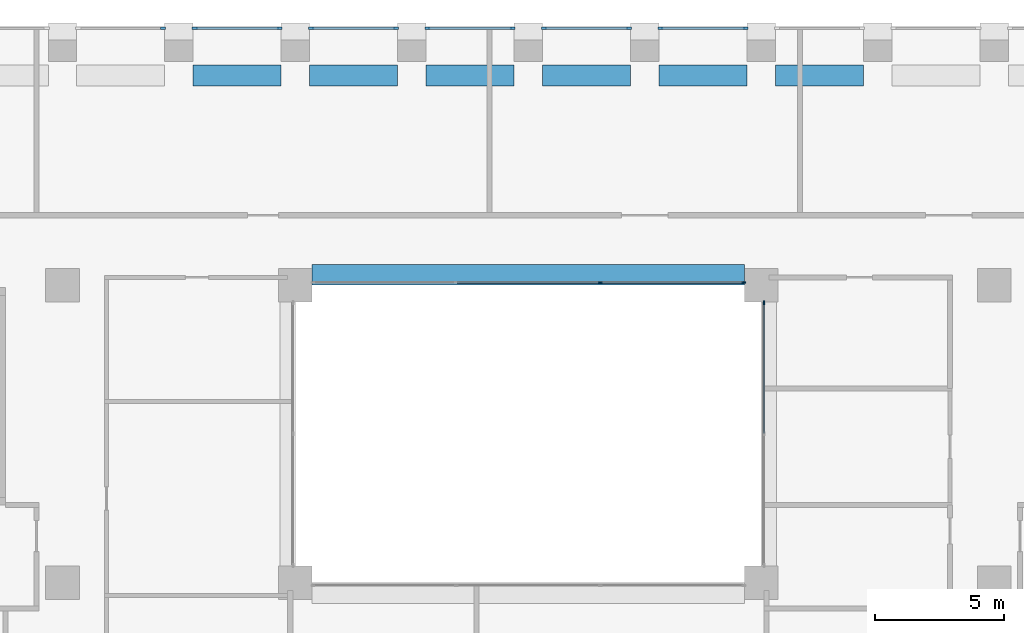
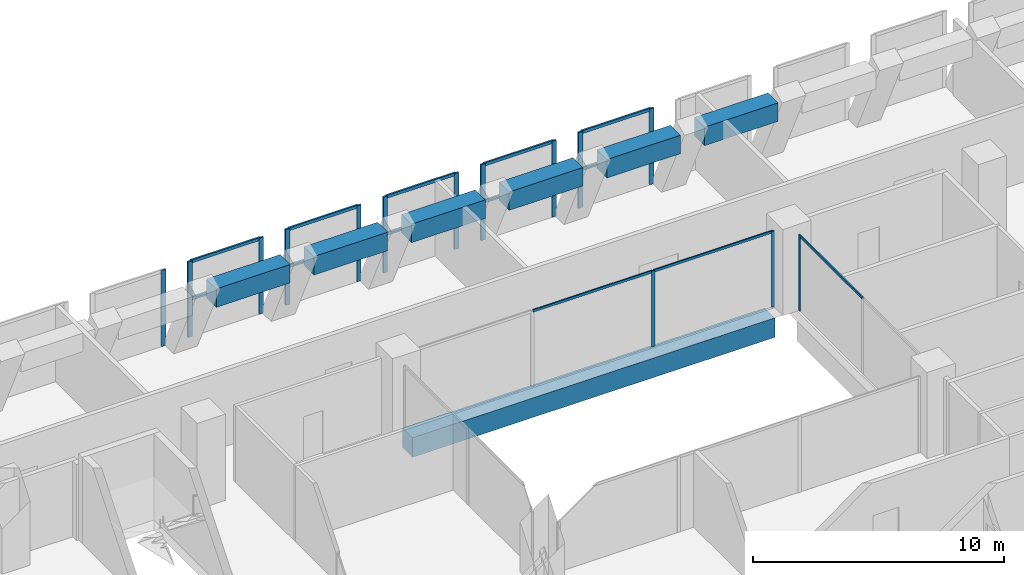
# One storey, part 8 of 20: 27 members, 7 beams, 8 elements without a shape of their own.
"""IFC4 building model written with IfcOpenShell, lengths in metres."""

from ifc_helpers import new_model, si_unit, direction, frame, origin, origin_2d, place, context, subcontext, project, spatial, rectangle, extrude, material, layer, layer_set, material_profile, profile_set, type_object, element, aggregate, save


model = new_model("IFC4")

# Units and contexts
model_context = context("Model", 3, precision=1e-05, world=origin(), true_north=direction((0.0, 1.0)))
body_context = subcontext(model_context, "Body", "Model", "MODEL_VIEW")
ifc_project = project(units=[si_unit("LENGTHUNIT", "METRE"), si_unit("AREAUNIT", "SQUARE_METRE"), si_unit("VOLUMEUNIT", "CUBIC_METRE"), si_unit("PLANEANGLEUNIT", "RADIAN"), si_unit("MASSUNIT", "GRAM", prefix="KILO")], contexts=[model_context])

# Site, building, storey
site_placement = place(None, origin())
site = spatial("IfcSite", under=ifc_project, at=site_placement, CompositionType="ELEMENT")
building_placement = place(site_placement, origin())
building = spatial("IfcBuilding", under=site, at=building_placement, Name="Brigalow Station Residences", CompositionType="ELEMENT")
storey_placement = place(building_placement, frame((0.0, 0.0, 137.10009765625)))
storey = spatial("IfcBuildingStorey", under=building, at=storey_placement, Name="L39", CompositionType="ELEMENT", Elevation=137.10009765625)

# Beam
ifc_material_1 = material(Name="Concrete C65", Category="concrete")
ifc_material_profile_1 = material_profile(ifc_material_1, rectangle(XDim=0.800048828125, YDim=0.949951171875, at=origin_2d()), Name="RC800x950")
ifc_profile_set_1 = profile_set([ifc_material_profile_1], Name="Concrete C65")
beam_type_1 = type_object("IfcBeamType", Name="ATRIUM EDGE GIRDER OVER 13.5 M SPAN 800x950 C65", PredefinedType="BEAM", material=ifc_profile_set_1)
beam_placement = place(storey_placement, frame((27.64990234375, 35.89990234375, -0.97509765625), z_axis=(1.0, 0.0, 0.0), x_axis=(0.0, 1.0, 0.0)))
element("IfcBeam", 1, at=beam_placement, inside=storey, type_object=beam_type_1, Name="ATRIUM EDGE GIRDER D L39", PredefinedType="BEAM", context=body_context, shape_type="SweptSolid", body=[
    extrude(rectangle(XDim=0.800048828125, YDim=0.949951171875, at=origin_2d()), origin(), (0.0, 0.0, 1.0), 16.7001953125),
])

# Curtain wall, member
ifc_material_2 = material(Name="Aluminium", Category="aluminium")
ifc_layer_1 = layer(ifc_material_2, 0.14990234375)
ifc_layer_set_1 = layer_set([ifc_layer_1], Name="ATRIUM FIRE-RATED GLAZING CURTAIN WALL")
curtain_wall_type_1 = type_object("IfcCurtainWallType", Name="ATRIUM FIRE-RATED GLAZING CURTAIN WALL", PredefinedType="NOTDEFINED", material=ifc_layer_set_1)
curtain_wall_1_placement = place(storey_placement, origin())
curtain_wall_1 = element("IfcCurtainWall", 2, at=curtain_wall_1_placement, inside=storey, type_object=curtain_wall_type_1, Name="L39/cw/atrium-E", PredefinedType="NOTDEFINED")
ifc_material_3 = material(Name="Aluminium", Category="aluminium")
ifc_material_profile_2 = material_profile(ifc_material_3, rectangle(XDim=0.06005859375, YDim=0.14990234375, at=origin_2d()), Name="ATRIUM FIRE-RATED GLAZING MULLION 60x150")
ifc_profile_set_2 = profile_set([ifc_material_profile_2], Name="Aluminium")
member_type_1 = type_object("IfcMemberType", Name="ATRIUM FIRE-RATED GLAZING MULLION 60x150", PredefinedType="MULLION", material=ifc_profile_set_2)
member_1_placement = place(storey_placement, frame((45.10009765625, 34.820068359375, 0.0), z_axis=(0.0, 0.0, 1.0), x_axis=(-1.0, 0.0, 0.0)))
member_1 = element("IfcMember", 3, at=member_1_placement, type_object=member_type_1, Name="L39/cw/atrium-E/M02", PredefinedType="MULLION", context=body_context, shape_type="SweptSolid", body=[
    extrude(rectangle(XDim=0.06005859375, YDim=0.14990234375, at=origin_2d()), origin(), (0.0, 0.0, 1.0), 3.699951171875),
])

# Curtain wall, members
curtain_wall_2_placement = place(storey_placement, origin())
curtain_wall_2 = element("IfcCurtainWall", 4, at=curtain_wall_2_placement, inside=storey, type_object=curtain_wall_type_1, Name="L39/cw/atrium-N", PredefinedType="NOTDEFINED")
member_2_placement = place(storey_placement, frame((44.320068359375, 35.60009765625, 0.0), z_axis=(0.0, 0.0, 1.0), x_axis=(0.0, -1.0, 0.0)))
member_2 = element("IfcMember", 5, at=member_2_placement, type_object=member_type_1, Name="L39/cw/atrium-N/M00", PredefinedType="MULLION", context=body_context, shape_type="SweptSolid", body=[
    extrude(rectangle(XDim=0.06005859375, YDim=0.14990234375, at=origin_2d()), origin(), (0.0, 0.0, 1.0), 3.699951171875),
])
member_3_placement = place(storey_placement, frame((38.783203125, 35.60009765625, 0.0), z_axis=(0.0, 0.0, 1.0), x_axis=(0.0, -1.0, 0.0)))
member_3 = element("IfcMember", 6, at=member_3_placement, type_object=member_type_1, Name="L39/cw/atrium-N/M01", PredefinedType="MULLION", context=body_context, shape_type="SweptSolid", body=[
    extrude(rectangle(XDim=0.06005859375, YDim=0.14990234375, at=origin_2d()), origin(), (0.0, 0.0, 1.0), 3.699951171875),
])

# Member
ifc_material_4 = material(Name="Aluminium", Category="aluminium")
ifc_material_profile_3 = material_profile(ifc_material_4, rectangle(XDim=0.06005859375, YDim=0.1201171875, at=origin_2d()), Name="ATRIUM FIRE-RATED GLAZING TRANSOM 60x120")
ifc_profile_set_3 = profile_set([ifc_material_profile_3], Name="Aluminium")
member_type_2 = type_object("IfcMemberType", Name="ATRIUM FIRE-RATED GLAZING TRANSOM 60x120", PredefinedType="USERDEFINED", material=ifc_profile_set_3)
member_4_placement = place(storey_placement, frame((45.10009765625, 29.780029296875, 3.669921875), z_axis=(0.0, 1.0, 0.0), x_axis=(-1.0, 0.0, 0.0)))
member_4 = element("IfcMember", 7, at=member_4_placement, type_object=member_type_2, Name="L39/cw/atrium-E/T01-00", ObjectType="TRANSOM", PredefinedType="USERDEFINED", context=body_context, shape_type="SweptSolid", body=[
    extrude(rectangle(XDim=0.06005859375, YDim=0.1201171875, at=origin_2d()), origin(), (0.0, 0.0, 1.0), 5.010009765625),
])

aggregate(curtain_wall_1, [member_1, member_4])

member_5_placement = place(storey_placement, frame((44.2900390625, 35.60009765625, 3.669921875), z_axis=(-1.0, 0.0, 0.0), x_axis=(0.0, -1.0, 0.0)))
member_5 = element("IfcMember", 8, at=member_5_placement, type_object=member_type_2, Name="L39/cw/atrium-N/T00-00", ObjectType="TRANSOM", PredefinedType="USERDEFINED", context=body_context, shape_type="SweptSolid", body=[
    extrude(rectangle(XDim=0.06005859375, YDim=0.1201171875, at=origin_2d()), origin(), (0.0, 0.0, 1.0), 5.476806640625),
])

member_6_placement = place(storey_placement, frame((38.75341796875, 35.60009765625, 3.669921875), z_axis=(-1.0, 0.0, 0.0), x_axis=(0.0, -1.0, 0.0)))
member_6 = element("IfcMember", 9, at=member_6_placement, type_object=member_type_2, Name="L39/cw/atrium-N/T01-00", ObjectType="TRANSOM", PredefinedType="USERDEFINED", context=body_context, shape_type="SweptSolid", body=[
    extrude(rectangle(XDim=0.06005859375, YDim=0.1201171875, at=origin_2d()), origin(), (0.0, 0.0, 1.0), 5.5068359375),
])

aggregate(curtain_wall_2, [member_2, member_3, member_5, member_6])

# Beams
ifc_material_5 = material(Name="Concrete C65", Category="concrete")
ifc_material_profile_4 = material_profile(ifc_material_5, rectangle(XDim=0.800048828125, YDim=0.89990234375, at=origin_2d()), Name="RC800x900")
ifc_profile_set_4 = profile_set([ifc_material_profile_4], Name="Concrete C65")
beam_type_2 = type_object("IfcBeamType", Name="KINK TIE BEAM 800x900 C65", PredefinedType="BEAM", material=ifc_profile_set_4)
for number, where, z_axis, x_axis, name in (
    (10, (48.949951171875, 43.5966796875, 3.25), (-1.0, 0.0, 0.0), (0.0, -1.0, 0.0), "KINK TIE BEAM 23 L39"),
    (11, (44.449951171875, 43.5966796875, 3.25), (-1.0, 0.0, 0.0), (0.0, -1.0, 0.0), "KINK TIE BEAM 24 L39"),
    (12, (39.949951171875, 43.5966796875, 3.25), (-1.0, 0.0, 0.0), (0.0, -1.0, 0.0), "KINK TIE BEAM 25 L39"),
    (13, (35.449951171875, 43.5966796875, 3.25), (-1.0, 0.0, 0.0), (0.0, -1.0, 0.0), "KINK TIE BEAM 26 L39"),
    (14, (30.949951171875, 43.5966796875, 3.25), (-1.0, 0.0, 0.0), (0.0, -1.0, 0.0), "KINK TIE BEAM 27 L39"),
    (15, (26.449951171875, 43.5966796875, 3.25), (-1.0, 0.0, 0.0), (0.0, -1.0, 0.0), "KINK TIE BEAM 28 L39"),
):
    element("IfcBeam", number, at=place(storey_placement, frame(where, z_axis=z_axis, x_axis=x_axis)), inside=storey, type_object=beam_type_2, Name=name, PredefinedType="BEAM", context=body_context, shape_type="SweptSolid", body=[
        extrude(rectangle(XDim=0.800048828125, YDim=0.89990234375, at=origin_2d()), origin(), (0.0, 0.0, 1.0), 3.39990234375),
    ])

# Curtain wall, members
ifc_material_6 = material(Name="Aluminium", Category="aluminium")
ifc_layer_2 = layer(ifc_material_6, 0.199951171875)
ifc_layer_set_2 = layer_set([ifc_layer_2], Name="REFUGE FLOOR LOUVRE CURTAIN WALL")
curtain_wall_type_2 = type_object("IfcCurtainWallType", Name="REFUGE FLOOR LOUVRE CURTAIN WALL", PredefinedType="NOTDEFINED", material=ifc_layer_set_2)
curtain_wall_3_placement = place(storey_placement, origin())
curtain_wall_3 = element("IfcCurtainWall", 16, at=curtain_wall_3_placement, inside=storey, type_object=curtain_wall_type_2, Name="L39/cw/louvre-W-L39-23-26", PredefinedType="NOTDEFINED")
ifc_material_7 = material(Name="Aluminium", Category="aluminium")
ifc_material_profile_5 = material_profile(ifc_material_7, rectangle(XDim=0.080078125, YDim=0.199951171875, at=origin_2d()), Name="REFUGE FLOOR LOUVRE MULLION 80x200")
ifc_profile_set_5 = profile_set([ifc_material_profile_5], Name="Aluminium")
member_type_3 = type_object("IfcMemberType", Name="REFUGE FLOOR LOUVRE MULLION 80x200", PredefinedType="MULLION", material=ifc_profile_set_5)
member_7_placement = place(storey_placement, frame((44.389892578125, 45.425048828125, 0.0), z_axis=(0.0, 0.0, 1.0), x_axis=(0.0, -1.0, 0.0)))
member_7 = element("IfcMember", 17, at=member_7_placement, type_object=member_type_3, Name="L39/cw/louvre-W-L39-23-26/M00", PredefinedType="MULLION", context=body_context, shape_type="SweptSolid", body=[
    extrude(rectangle(XDim=0.080078125, YDim=0.199951171875, at=origin_2d()), origin(), (0.0, 0.0, 1.0), 3.699951171875),
])
member_8_placement = place(storey_placement, frame((41.110107421875, 45.425048828125, 0.0), z_axis=(0.0, 0.0, 1.0), x_axis=(0.0, -1.0, 0.0)))
member_8 = element("IfcMember", 18, at=member_8_placement, type_object=member_type_3, Name="L39/cw/louvre-W-L39-23-26/M01", PredefinedType="MULLION", context=body_context, shape_type="SweptSolid", body=[
    extrude(rectangle(XDim=0.080078125, YDim=0.199951171875, at=origin_2d()), origin(), (0.0, 0.0, 1.0), 3.699951171875),
])

curtain_wall_4_placement = place(storey_placement, origin())
curtain_wall_4 = element("IfcCurtainWall", 19, at=curtain_wall_4_placement, inside=storey, type_object=curtain_wall_type_2, Name="L39/cw/louvre-W-L39-23-27", PredefinedType="NOTDEFINED")
member_9_placement = place(storey_placement, frame((39.889892578125, 45.425048828125, 0.0), z_axis=(0.0, 0.0, 1.0), x_axis=(0.0, -1.0, 0.0)))
member_9 = element("IfcMember", 20, at=member_9_placement, type_object=member_type_3, Name="L39/cw/louvre-W-L39-23-27/M00", PredefinedType="MULLION", context=body_context, shape_type="SweptSolid", body=[
    extrude(rectangle(XDim=0.080078125, YDim=0.199951171875, at=origin_2d()), origin(), (0.0, 0.0, 1.0), 3.699951171875),
])
member_10_placement = place(storey_placement, frame((36.610107421875, 45.425048828125, 0.0), z_axis=(0.0, 0.0, 1.0), x_axis=(0.0, -1.0, 0.0)))
member_10 = element("IfcMember", 21, at=member_10_placement, type_object=member_type_3, Name="L39/cw/louvre-W-L39-23-27/M01", PredefinedType="MULLION", context=body_context, shape_type="SweptSolid", body=[
    extrude(rectangle(XDim=0.080078125, YDim=0.199951171875, at=origin_2d()), origin(), (0.0, 0.0, 1.0), 3.699951171875),
])

curtain_wall_5_placement = place(storey_placement, origin())
curtain_wall_5 = element("IfcCurtainWall", 22, at=curtain_wall_5_placement, inside=storey, type_object=curtain_wall_type_2, Name="L39/cw/louvre-W-L39-23-28", PredefinedType="NOTDEFINED")
member_11_placement = place(storey_placement, frame((35.389892578125, 45.425048828125, 0.0), z_axis=(0.0, 0.0, 1.0), x_axis=(0.0, -1.0, 0.0)))
member_11 = element("IfcMember", 23, at=member_11_placement, type_object=member_type_3, Name="L39/cw/louvre-W-L39-23-28/M00", PredefinedType="MULLION", context=body_context, shape_type="SweptSolid", body=[
    extrude(rectangle(XDim=0.080078125, YDim=0.199951171875, at=origin_2d()), origin(), (0.0, 0.0, 1.0), 3.699951171875),
])
member_12_placement = place(storey_placement, frame((32.110107421875, 45.425048828125, 0.0), z_axis=(0.0, 0.0, 1.0), x_axis=(0.0, -1.0, 0.0)))
member_12 = element("IfcMember", 24, at=member_12_placement, type_object=member_type_3, Name="L39/cw/louvre-W-L39-23-28/M01", PredefinedType="MULLION", context=body_context, shape_type="SweptSolid", body=[
    extrude(rectangle(XDim=0.080078125, YDim=0.199951171875, at=origin_2d()), origin(), (0.0, 0.0, 1.0), 3.699951171875),
])

curtain_wall_6_placement = place(storey_placement, origin())
curtain_wall_6 = element("IfcCurtainWall", 25, at=curtain_wall_6_placement, inside=storey, type_object=curtain_wall_type_2, Name="L39/cw/louvre-W-L39-23-29", PredefinedType="NOTDEFINED")
member_13_placement = place(storey_placement, frame((30.889892578125, 45.425048828125, 0.0), z_axis=(0.0, 0.0, 1.0), x_axis=(0.0, -1.0, 0.0)))
member_13 = element("IfcMember", 26, at=member_13_placement, type_object=member_type_3, Name="L39/cw/louvre-W-L39-23-29/M00", PredefinedType="MULLION", context=body_context, shape_type="SweptSolid", body=[
    extrude(rectangle(XDim=0.080078125, YDim=0.199951171875, at=origin_2d()), origin(), (0.0, 0.0, 1.0), 3.699951171875),
])
member_14_placement = place(storey_placement, frame((27.610107421875, 45.425048828125, 0.0), z_axis=(0.0, 0.0, 1.0), x_axis=(0.0, -1.0, 0.0)))
member_14 = element("IfcMember", 27, at=member_14_placement, type_object=member_type_3, Name="L39/cw/louvre-W-L39-23-29/M01", PredefinedType="MULLION", context=body_context, shape_type="SweptSolid", body=[
    extrude(rectangle(XDim=0.080078125, YDim=0.199951171875, at=origin_2d()), origin(), (0.0, 0.0, 1.0), 3.699951171875),
])

curtain_wall_7_placement = place(storey_placement, origin())
curtain_wall_7 = element("IfcCurtainWall", 28, at=curtain_wall_7_placement, inside=storey, type_object=curtain_wall_type_2, Name="L39/cw/louvre-W-L39-23-30", PredefinedType="NOTDEFINED")
member_15_placement = place(storey_placement, frame((26.389892578125, 45.425048828125, 0.0), z_axis=(0.0, 0.0, 1.0), x_axis=(0.0, -1.0, 0.0)))
member_15 = element("IfcMember", 29, at=member_15_placement, type_object=member_type_3, Name="L39/cw/louvre-W-L39-23-30/M00", PredefinedType="MULLION", context=body_context, shape_type="SweptSolid", body=[
    extrude(rectangle(XDim=0.080078125, YDim=0.199951171875, at=origin_2d()), origin(), (0.0, 0.0, 1.0), 3.699951171875),
])
member_16_placement = place(storey_placement, frame((23.110107421875, 45.425048828125, 0.0), z_axis=(0.0, 0.0, 1.0), x_axis=(0.0, -1.0, 0.0)))
member_16 = element("IfcMember", 30, at=member_16_placement, type_object=member_type_3, Name="L39/cw/louvre-W-L39-23-30/M01", PredefinedType="MULLION", context=body_context, shape_type="SweptSolid", body=[
    extrude(rectangle(XDim=0.080078125, YDim=0.199951171875, at=origin_2d()), origin(), (0.0, 0.0, 1.0), 3.699951171875),
])

# Curtain wall, member
curtain_wall_8_placement = place(storey_placement, origin())
curtain_wall_8 = element("IfcCurtainWall", 31, at=curtain_wall_8_placement, inside=storey, type_object=curtain_wall_type_2, Name="L39/cw/louvre-W-L39-23-31", PredefinedType="NOTDEFINED")
member_17_placement = place(storey_placement, frame((21.889892578125, 45.425048828125, 0.0), z_axis=(0.0, 0.0, 1.0), x_axis=(0.0, -1.0, 0.0)))
member_17 = element("IfcMember", 32, at=member_17_placement, type_object=member_type_3, Name="L39/cw/louvre-W-L39-23-31/M00", PredefinedType="MULLION", context=body_context, shape_type="SweptSolid", body=[
    extrude(rectangle(XDim=0.080078125, YDim=0.199951171875, at=origin_2d()), origin(), (0.0, 0.0, 1.0), 3.699951171875),
])
aggregate(curtain_wall_8, [member_17])

# Member
ifc_material_8 = material(Name="Aluminium", Category="aluminium")
ifc_material_profile_6 = material_profile(ifc_material_8, rectangle(XDim=0.080078125, YDim=0.14990234375, at=origin_2d()), Name="REFUGE FLOOR LOUVRE TRANSOM 80x150")
ifc_profile_set_6 = profile_set([ifc_material_profile_6], Name="Aluminium")
member_type_4 = type_object("IfcMemberType", Name="REFUGE FLOOR LOUVRE TRANSOM 80x150", PredefinedType="USERDEFINED", material=ifc_profile_set_6)
member_18_placement = place(storey_placement, frame((44.35009765625, 45.425048828125, 1.849853515625), z_axis=(-1.0, 0.0, 0.0), x_axis=(0.0, -1.0, 0.0)))
member_18 = element("IfcMember", 33, at=member_18_placement, type_object=member_type_4, Name="L39/cw/louvre-W-L39-23-26/T00-00", ObjectType="TRANSOM", PredefinedType="USERDEFINED", context=body_context, shape_type="SweptSolid", body=[
    extrude(rectangle(XDim=0.080078125, YDim=0.14990234375, at=origin_2d()), origin(), (0.0, 0.0, 1.0), 3.2001953125),
])

member_19_placement = place(storey_placement, frame((44.35009765625, 45.425048828125, 3.659912109375), z_axis=(-1.0, 0.0, 0.0), x_axis=(0.0, -1.0, 0.0)))
member_19 = element("IfcMember", 34, at=member_19_placement, type_object=member_type_4, Name="L39/cw/louvre-W-L39-23-26/T00-01", ObjectType="TRANSOM", PredefinedType="USERDEFINED", context=body_context, shape_type="SweptSolid", body=[
    extrude(rectangle(XDim=0.080078125, YDim=0.14990234375, at=origin_2d()), origin(), (0.0, 0.0, 1.0), 3.2001953125),
])

aggregate(curtain_wall_3, [member_7, member_8, member_18, member_19])

member_20_placement = place(storey_placement, frame((39.85009765625, 45.425048828125, 1.849853515625), z_axis=(-1.0, 0.0, 0.0), x_axis=(0.0, -1.0, 0.0)))
member_20 = element("IfcMember", 35, at=member_20_placement, type_object=member_type_4, Name="L39/cw/louvre-W-L39-23-27/T00-00", ObjectType="TRANSOM", PredefinedType="USERDEFINED", context=body_context, shape_type="SweptSolid", body=[
    extrude(rectangle(XDim=0.080078125, YDim=0.14990234375, at=origin_2d()), origin(), (0.0, 0.0, 1.0), 3.2001953125),
])

member_21_placement = place(storey_placement, frame((39.85009765625, 45.425048828125, 3.659912109375), z_axis=(-1.0, 0.0, 0.0), x_axis=(0.0, -1.0, 0.0)))
member_21 = element("IfcMember", 36, at=member_21_placement, type_object=member_type_4, Name="L39/cw/louvre-W-L39-23-27/T00-01", ObjectType="TRANSOM", PredefinedType="USERDEFINED", context=body_context, shape_type="SweptSolid", body=[
    extrude(rectangle(XDim=0.080078125, YDim=0.14990234375, at=origin_2d()), origin(), (0.0, 0.0, 1.0), 3.2001953125),
])

aggregate(curtain_wall_4, [member_9, member_10, member_20, member_21])

member_22_placement = place(storey_placement, frame((35.35009765625, 45.425048828125, 1.849853515625), z_axis=(-1.0, 0.0, 0.0), x_axis=(0.0, -1.0, 0.0)))
member_22 = element("IfcMember", 37, at=member_22_placement, type_object=member_type_4, Name="L39/cw/louvre-W-L39-23-28/T00-00", ObjectType="TRANSOM", PredefinedType="USERDEFINED", context=body_context, shape_type="SweptSolid", body=[
    extrude(rectangle(XDim=0.080078125, YDim=0.14990234375, at=origin_2d()), origin(), (0.0, 0.0, 1.0), 3.2001953125),
])

member_23_placement = place(storey_placement, frame((35.35009765625, 45.425048828125, 3.659912109375), z_axis=(-1.0, 0.0, 0.0), x_axis=(0.0, -1.0, 0.0)))
member_23 = element("IfcMember", 38, at=member_23_placement, type_object=member_type_4, Name="L39/cw/louvre-W-L39-23-28/T00-01", ObjectType="TRANSOM", PredefinedType="USERDEFINED", context=body_context, shape_type="SweptSolid", body=[
    extrude(rectangle(XDim=0.080078125, YDim=0.14990234375, at=origin_2d()), origin(), (0.0, 0.0, 1.0), 3.2001953125),
])

aggregate(curtain_wall_5, [member_11, member_12, member_22, member_23])

member_24_placement = place(storey_placement, frame((30.85009765625, 45.425048828125, 1.849853515625), z_axis=(-1.0, 0.0, 0.0), x_axis=(0.0, -1.0, 0.0)))
member_24 = element("IfcMember", 39, at=member_24_placement, type_object=member_type_4, Name="L39/cw/louvre-W-L39-23-29/T00-00", ObjectType="TRANSOM", PredefinedType="USERDEFINED", context=body_context, shape_type="SweptSolid", body=[
    extrude(rectangle(XDim=0.080078125, YDim=0.14990234375, at=origin_2d()), origin(), (0.0, 0.0, 1.0), 3.2001953125),
])

member_25_placement = place(storey_placement, frame((30.85009765625, 45.425048828125, 3.659912109375), z_axis=(-1.0, 0.0, 0.0), x_axis=(0.0, -1.0, 0.0)))
member_25 = element("IfcMember", 40, at=member_25_placement, type_object=member_type_4, Name="L39/cw/louvre-W-L39-23-29/T00-01", ObjectType="TRANSOM", PredefinedType="USERDEFINED", context=body_context, shape_type="SweptSolid", body=[
    extrude(rectangle(XDim=0.080078125, YDim=0.14990234375, at=origin_2d()), origin(), (0.0, 0.0, 1.0), 3.2001953125),
])

aggregate(curtain_wall_6, [member_13, member_14, member_24, member_25])

member_26_placement = place(storey_placement, frame((26.35009765625, 45.425048828125, 1.849853515625), z_axis=(-1.0, 0.0, 0.0), x_axis=(0.0, -1.0, 0.0)))
member_26 = element("IfcMember", 41, at=member_26_placement, type_object=member_type_4, Name="L39/cw/louvre-W-L39-23-30/T00-00", ObjectType="TRANSOM", PredefinedType="USERDEFINED", context=body_context, shape_type="SweptSolid", body=[
    extrude(rectangle(XDim=0.080078125, YDim=0.14990234375, at=origin_2d()), origin(), (0.0, 0.0, 1.0), 3.2001953125),
])

member_27_placement = place(storey_placement, frame((26.35009765625, 45.425048828125, 3.659912109375), z_axis=(-1.0, 0.0, 0.0), x_axis=(0.0, -1.0, 0.0)))
member_27 = element("IfcMember", 42, at=member_27_placement, type_object=member_type_4, Name="L39/cw/louvre-W-L39-23-30/T00-01", ObjectType="TRANSOM", PredefinedType="USERDEFINED", context=body_context, shape_type="SweptSolid", body=[
    extrude(rectangle(XDim=0.080078125, YDim=0.14990234375, at=origin_2d()), origin(), (0.0, 0.0, 1.0), 3.2001953125),
])

aggregate(curtain_wall_7, [member_15, member_16, member_26, member_27])

save(model, "model.ifc")
